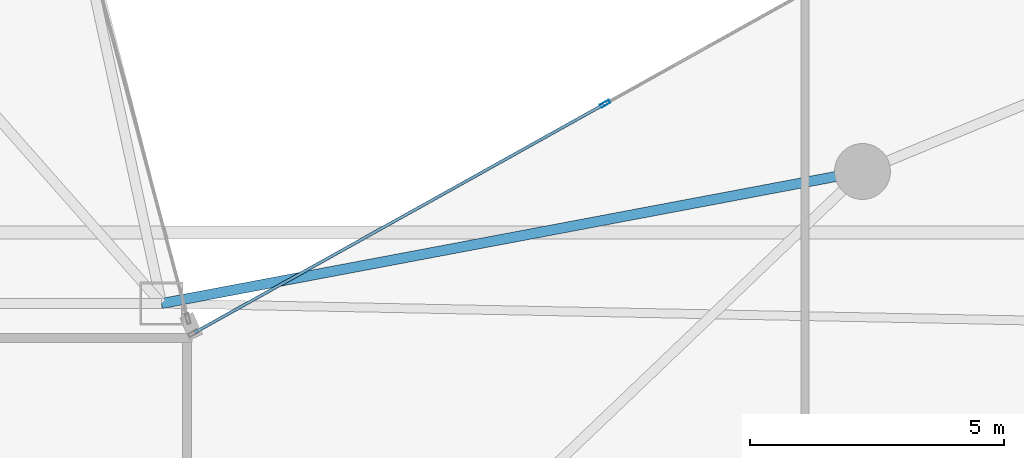
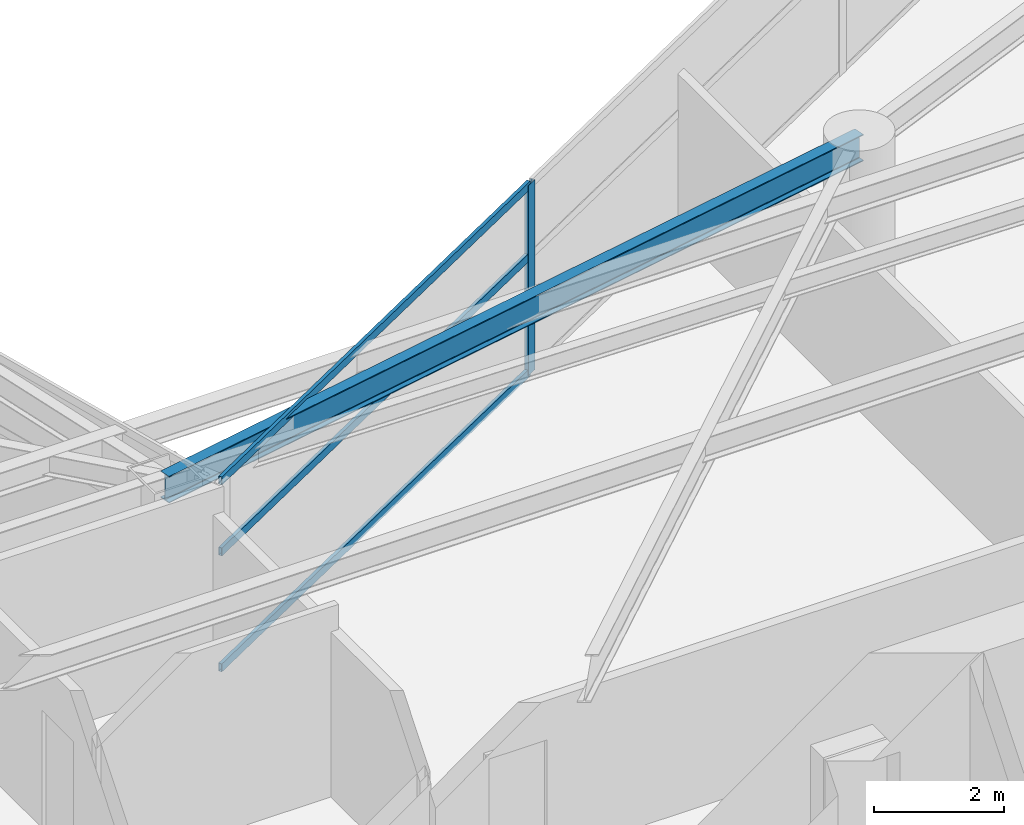
# One storey, part 11 of 28: 4 members, 1 beam, 1 element without a shape of its own.
"""IFC4 building model written with IfcOpenShell, lengths in metres."""

from ifc_helpers import new_model, si_unit, direction, frame, origin, origin_2d, place, context, subcontext, project, spatial, hollow_rectangle, i_section, extrude, material, layer, layer_set, material_profile, profile_set, type_object, element, aggregate, save


model = new_model("IFC4")

# Units and contexts
model_context = context("Model", 3, precision=1e-05, world=origin(), true_north=direction((0.0, 1.0)))
body_context = subcontext(model_context, "Body", "Model", "MODEL_VIEW")
ifc_project = project(units=[si_unit("LENGTHUNIT", "METRE"), si_unit("AREAUNIT", "SQUARE_METRE"), si_unit("VOLUMEUNIT", "CUBIC_METRE"), si_unit("PLANEANGLEUNIT", "RADIAN"), si_unit("MASSUNIT", "GRAM", prefix="KILO")], contexts=[model_context])

# Site, building, storey
site_placement = place(None, origin())
site = spatial("IfcSite", under=ifc_project, at=site_placement, CompositionType="ELEMENT")
building_placement = place(site_placement, origin())
building = spatial("IfcBuilding", under=site, at=building_placement, Name="Calvorn Quay Hotel", CompositionType="ELEMENT")
storey_placement = place(building_placement, frame((0.0, 0.0, 156.10009765625)))
storey = spatial("IfcBuildingStorey", under=building, at=storey_placement, Name="L38", CompositionType="ELEMENT", Elevation=156.10009765625)

# Beam
ifc_material_1 = material(Name="Steel Q355B", Category="steel")
ifc_material_profile_1 = material_profile(ifc_material_1, i_section(OverallWidth=0.199951171875, OverallDepth=0.5, WebThickness=0.010009765625, FlangeThickness=0.01611328125, FilletRadius=0.01611328125, at=origin_2d()), Name="HN500x200x10x16")
ifc_profile_set_1 = profile_set([ifc_material_profile_1], Name="Steel Q355B")
beam_type = type_object("IfcBeamType", Name="BM-SPANDREL-Z1", PredefinedType="SPANDREL", material=ifc_profile_set_1)
beam_placement = place(storey_placement, frame((34.800048828125, 27.60009765625, 3.289794921875), z_axis=(-0.982709432406, -0.185154452988, 0.0), x_axis=(0.185154452988, -0.982709432406, 0.0)))
element("IfcBeam", 1, at=beam_placement, inside=storey, type_object=beam_type, Name="Beam BSP-L38-E5", PredefinedType="SPANDREL", context=body_context, shape_type="SweptSolid", body=[
    extrude(i_section(OverallWidth=0.199951171875, OverallDepth=0.5, WebThickness=0.010009765625, FlangeThickness=0.01611328125, FilletRadius=0.01611328125, at=origin_2d()), origin(), (0.0, 0.0, 1.0), 14.04296875),
])

# Curtain wall, members
ifc_material_2 = material(Name="Pale Anodised Aluminium and Low-E Glass", Category="aluminium")
ifc_layer = layer(ifc_material_2, 0.219970703125)
ifc_layer_set = layer_set([ifc_layer], Name="CW-SYS-Z2")
curtain_wall_type = type_object("IfcCurtainWallType", Name="CW-SYS-Z2", PredefinedType="NOTDEFINED", material=ifc_layer_set)
curtain_wall_placement = place(storey_placement, origin())
curtain_wall = element("IfcCurtainWall", 2, at=curtain_wall_placement, inside=storey, type_object=curtain_wall_type, Name="Inner Court Curtain Wall L38-NE1", PredefinedType="NOTDEFINED")
ifc_material_3 = material(Name="Pale Anodised Aluminium 6063-T6", Category="aluminium")
ifc_material_profile_2 = material_profile(ifc_material_3, hollow_rectangle(XDim=0.070068359375, YDim=0.199951171875, WallThickness=0.00390625, at=origin_2d()), Name="ALU-M200x70x4")
ifc_profile_set_2 = profile_set([ifc_material_profile_2], Name="Pale Anodised Aluminium 6063-T6")
member_type_1 = type_object("IfcMemberType", Name="CW-SYS-Z2-MUL", PredefinedType="MULLION", material=ifc_profile_set_2)
member_1_placement = place(storey_placement, frame((29.7333984375, 28.933349609375, 0.0), z_axis=(0.0, 0.0, 1.0), x_axis=(0.486858256224, -0.873480989116, 0.0)))
member_1 = element("IfcMember", 3, at=member_1_placement, type_object=member_type_1, Name="CW-L38-NE1 mullion 3", PredefinedType="MULLION", context=body_context, shape_type="SweptSolid", body=[
    extrude(hollow_rectangle(XDim=0.070068359375, YDim=0.199951171875, WallThickness=0.00390625, at=origin_2d()), origin(), (0.0, 0.0, 1.0), 3.559814453125),
])
ifc_material_4 = material(Name="Pale Anodised Aluminium 6063-T6", Category="aluminium")
ifc_material_profile_3 = material_profile(ifc_material_4, hollow_rectangle(XDim=0.06005859375, YDim=0.14990234375, WallThickness=0.00341796875, at=origin_2d()), Name="ALU-T150x60x3.5")
ifc_profile_set_3 = profile_set([ifc_material_profile_3], Name="Pale Anodised Aluminium 6063-T6")
member_type_2 = type_object("IfcMemberType", Name="CW-SYS-Z2-TRN", PredefinedType="USERDEFINED", material=ifc_profile_set_3)
member_2_placement = place(storey_placement, frame((29.70703125, 28.918701171875, 0.02978515625), z_axis=(-0.87348080454, -0.486858587375, 0.0), x_axis=(0.486858587375, -0.87348080454, 0.0)))
member_2 = element("IfcMember", 4, at=member_2_placement, type_object=member_type_2, Name="CW-L38-NE1 transom 3.1", ObjectType="TRANSOM", PredefinedType="USERDEFINED", context=body_context, shape_type="SweptSolid", body=[
    extrude(hollow_rectangle(XDim=0.06005859375, YDim=0.14990234375, WallThickness=0.00341796875, at=origin_2d()), origin(), (0.0, 0.0, 1.0), 9.221435546875),
])
member_3_placement = place(storey_placement, frame((29.70703125, 28.918701171875, 2.199951171875), z_axis=(-0.87348080454, -0.486858587375, 0.0), x_axis=(0.486858587375, -0.87348080454, 0.0)))
member_3 = element("IfcMember", 5, at=member_3_placement, type_object=member_type_2, Name="CW-L38-NE1 transom 3.2", ObjectType="TRANSOM", PredefinedType="USERDEFINED", context=body_context, shape_type="SweptSolid", body=[
    extrude(hollow_rectangle(XDim=0.06005859375, YDim=0.14990234375, WallThickness=0.00341796875, at=origin_2d()), origin(), (0.0, 0.0, 1.0), 9.221435546875),
])
member_4_placement = place(storey_placement, frame((29.70703125, 28.918701171875, 3.52978515625), z_axis=(-0.87348080454, -0.486858587375, 0.0), x_axis=(0.486858587375, -0.87348080454, 0.0)))
member_4 = element("IfcMember", 6, at=member_4_placement, type_object=member_type_2, Name="CW-L38-NE1 transom 3.3", ObjectType="TRANSOM", PredefinedType="USERDEFINED", context=body_context, shape_type="SweptSolid", body=[
    extrude(hollow_rectangle(XDim=0.06005859375, YDim=0.14990234375, WallThickness=0.00341796875, at=origin_2d()), origin(), (0.0, 0.0, 1.0), 9.221435546875),
])
aggregate(curtain_wall, [member_1, member_2, member_3, member_4])

save(model, "model.ifc")
